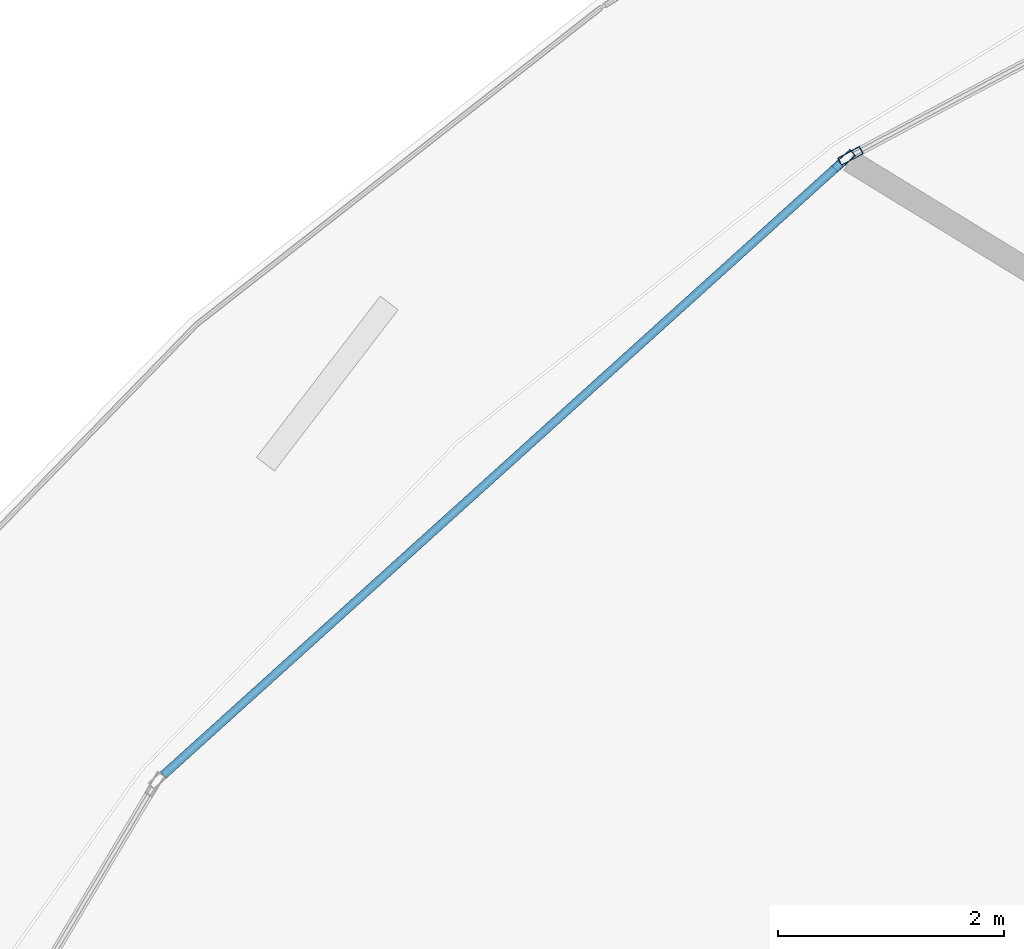
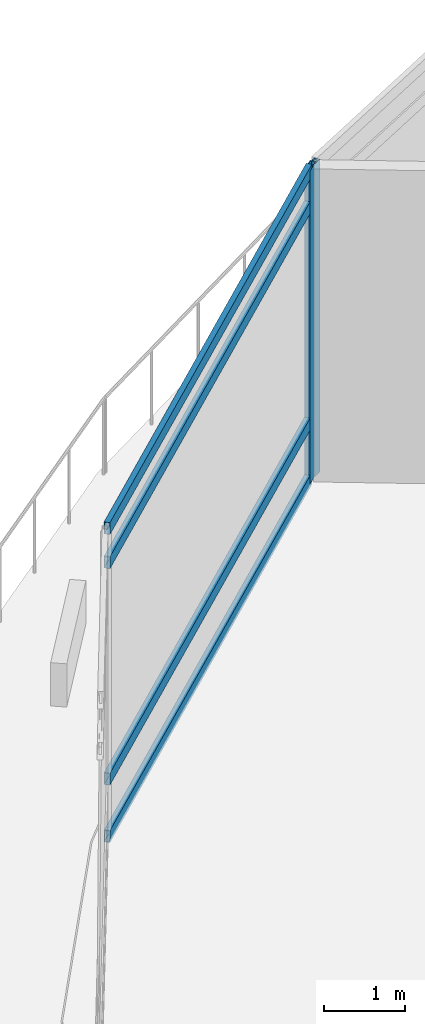
# One storey, part 15 of 37: 6 members, 2 elements without a shape of their own.
"""IFC4 building model written with IfcOpenShell, lengths in metres."""

from ifc_helpers import new_model, si_unit, direction, frame, origin, origin_2d, place, context, subcontext, project, spatial, hollow_rectangle, extrude, material, layer, layer_set, material_profile, profile_set, type_object, element, aggregate, save


model = new_model("IFC4")

# Units and contexts
model_context = context("Model", 3, precision=1e-05, world=origin(), true_north=direction((0.0, 1.0)))
body_context = subcontext(model_context, "Body", "Model", "MODEL_VIEW")
ifc_project = project(units=[si_unit("LENGTHUNIT", "METRE"), si_unit("AREAUNIT", "SQUARE_METRE"), si_unit("VOLUMEUNIT", "CUBIC_METRE"), si_unit("PLANEANGLEUNIT", "RADIAN"), si_unit("MASSUNIT", "GRAM", prefix="KILO")], contexts=[model_context])

# Site, building, storey
site_placement = place(None, origin())
site = spatial("IfcSite", under=ifc_project, at=site_placement, CompositionType="ELEMENT")
building_placement = place(site_placement, origin())
building = spatial("IfcBuilding", under=site, at=building_placement, Name="Nuhasar Tower", CompositionType="ELEMENT")
storey_placement = place(building_placement, frame((0.0, 0.0, 6.0)))
storey = spatial("IfcBuildingStorey", under=building, at=storey_placement, Name="L01", CompositionType="ELEMENT", Elevation=6.0)

# Curtain wall, member
ifc_material = material(Name="Aluminium 6063-T6", Category="aluminium")
ifc_layer = layer(ifc_material, 0.219970703125)
ifc_layer_set = layer_set([ifc_layer], Name="Aluminium 6063-T6")
curtain_wall_type = type_object("IfcCurtainWallType", Name="CW-PODIUM", PredefinedType="NOTDEFINED", material=ifc_layer_set)
curtain_wall_1_placement = place(storey_placement, origin())
curtain_wall_1 = element("IfcCurtainWall", 1, at=curtain_wall_1_placement, inside=storey, type_object=curtain_wall_type, Name="L01 Podium Curtain Wall Bay 09", PredefinedType="NOTDEFINED")
ifc_material_profile_1 = material_profile(ifc_material, hollow_rectangle(XDim=0.074951171875, YDim=0.219970703125, WallThickness=0.0048828125, at=origin_2d()), Name="CWM-1")
ifc_profile_set_1 = profile_set([ifc_material_profile_1], Name="Aluminium 6063-T6")
member_type_1 = type_object("IfcMemberType", Name="CW-MUL-S1", PredefinedType="MULLION", material=ifc_profile_set_1)
member_1_placement = place(storey_placement, frame((11.85205078125, 45.654541015625, 0.0), z_axis=(0.0, 0.0, 1.0), x_axis=(0.469563312429, -0.882898802593, 0.0)))
member_1 = element("IfcMember", 2, at=member_1_placement, type_object=member_type_1, Name="CW-P1 mullion 2", PredefinedType="MULLION", context=body_context, shape_type="SweptSolid", body=[
    extrude(hollow_rectangle(XDim=0.074951171875, YDim=0.219970703125, WallThickness=0.0048828125, at=origin_2d()), origin(), (0.0, 0.0, 1.0), 4.699951171875),
])
aggregate(curtain_wall_1, [member_1])

# Curtain wall, members
curtain_wall_2_placement = place(storey_placement, origin())
curtain_wall_2 = element("IfcCurtainWall", 3, at=curtain_wall_2_placement, inside=storey, type_object=curtain_wall_type, Name="L01 Podium Curtain Wall Bay 10", PredefinedType="NOTDEFINED")
member_2_placement = place(storey_placement, frame((11.791259765625, 45.61181640625, 0.0), z_axis=(0.0, 0.0, 1.0), x_axis=(0.67023230157, -0.742151374001, 0.0)))
member_2 = element("IfcMember", 4, at=member_2_placement, type_object=member_type_1, Name="CW-P1 mullion 1", PredefinedType="MULLION", context=body_context, shape_type="SweptSolid", body=[
    extrude(hollow_rectangle(XDim=0.074951171875, YDim=0.219970703125, WallThickness=0.0048828125, at=origin_2d()), origin(), (0.0, 0.0, 1.0), 4.699951171875),
])
ifc_material_profile_2 = material_profile(ifc_material, hollow_rectangle(XDim=0.074951171875, YDim=0.179931640625, WallThickness=0.00439453125, at=origin_2d()), Name="CWT-1")
ifc_profile_set_2 = profile_set([ifc_material_profile_2], Name="Aluminium 6063-T6")
member_type_2 = type_object("IfcMemberType", Name="CW-TRN-S1", PredefinedType="USERDEFINED", material=ifc_profile_set_2)
member_3_placement = place(storey_placement, frame((11.763427734375, 45.586669921875, 0.03759765625), z_axis=(-0.74215596141, -0.670227221876, 0.0), x_axis=(0.670227221876, -0.74215596141, 0.0)))
member_3 = element("IfcMember", 5, at=member_3_placement, type_object=member_type_2, Name="CW-P1 transom 1.1", ObjectType="TRANSOM", PredefinedType="USERDEFINED", context=body_context, shape_type="SweptSolid", body=[
    extrude(hollow_rectangle(XDim=0.074951171875, YDim=0.179931640625, WallThickness=0.00439453125, at=origin_2d()), origin(), (0.0, 0.0, 1.0), 8.08154296875),
])
member_4_placement = place(storey_placement, frame((11.763427734375, 45.586669921875, 0.89990234375), z_axis=(-0.74215596141, -0.670227221876, 0.0), x_axis=(0.670227221876, -0.74215596141, 0.0)))
member_4 = element("IfcMember", 6, at=member_4_placement, type_object=member_type_2, Name="CW-P1 transom 1.2", ObjectType="TRANSOM", PredefinedType="USERDEFINED", context=body_context, shape_type="SweptSolid", body=[
    extrude(hollow_rectangle(XDim=0.074951171875, YDim=0.179931640625, WallThickness=0.00439453125, at=origin_2d()), origin(), (0.0, 0.0, 1.0), 8.08154296875),
])
member_5_placement = place(storey_placement, frame((11.763427734375, 45.586669921875, 4.14990234375), z_axis=(-0.74215596141, -0.670227221876, 0.0), x_axis=(0.670227221876, -0.74215596141, 0.0)))
member_5 = element("IfcMember", 7, at=member_5_placement, type_object=member_type_2, Name="CW-P1 transom 1.3", ObjectType="TRANSOM", PredefinedType="USERDEFINED", context=body_context, shape_type="SweptSolid", body=[
    extrude(hollow_rectangle(XDim=0.074951171875, YDim=0.179931640625, WallThickness=0.00439453125, at=origin_2d()), origin(), (0.0, 0.0, 1.0), 8.08154296875),
])
member_6_placement = place(storey_placement, frame((11.763427734375, 45.586669921875, 4.66259765625), z_axis=(-0.74215596141, -0.670227221876, 0.0), x_axis=(0.670227221876, -0.74215596141, 0.0)))
member_6 = element("IfcMember", 8, at=member_6_placement, type_object=member_type_2, Name="CW-P1 transom 1.4", ObjectType="TRANSOM", PredefinedType="USERDEFINED", context=body_context, shape_type="SweptSolid", body=[
    extrude(hollow_rectangle(XDim=0.074951171875, YDim=0.179931640625, WallThickness=0.00439453125, at=origin_2d()), origin(), (0.0, 0.0, 1.0), 8.08154296875),
])
aggregate(curtain_wall_2, [member_2, member_3, member_4, member_5, member_6])

save(model, "model.ifc")
